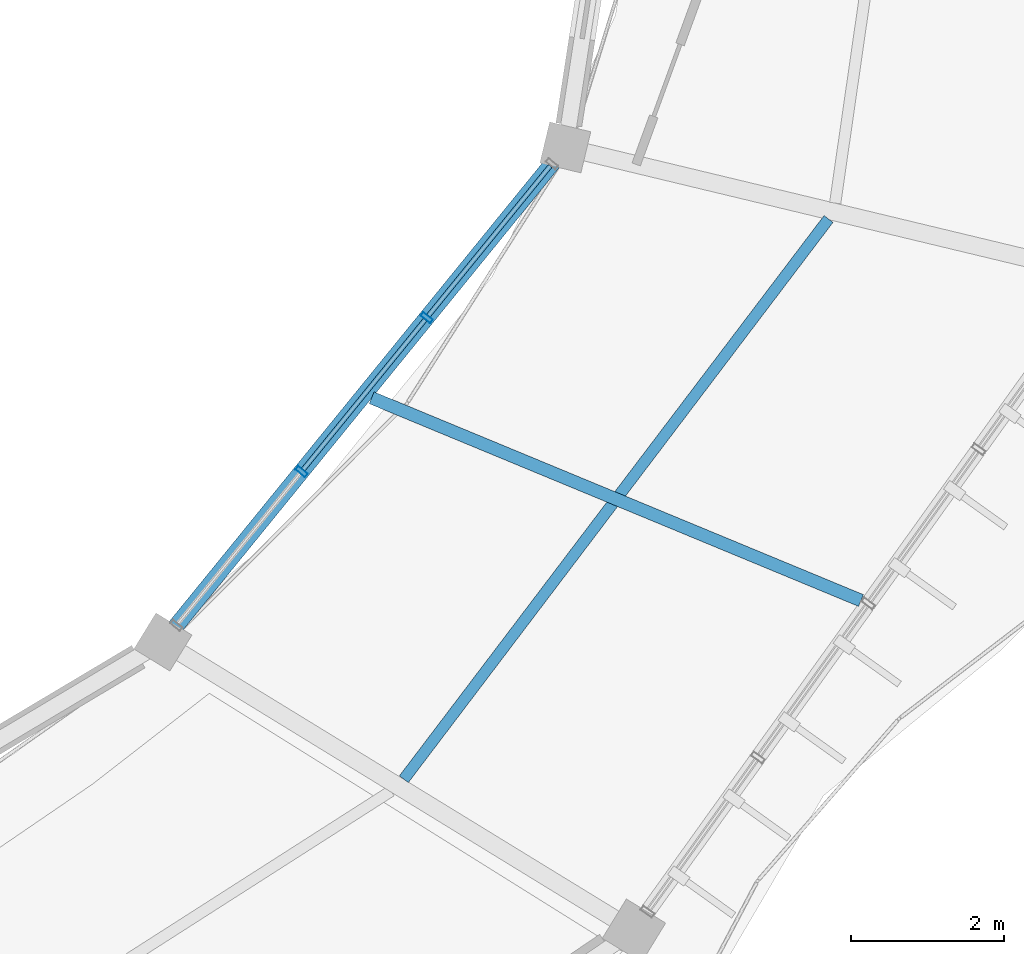
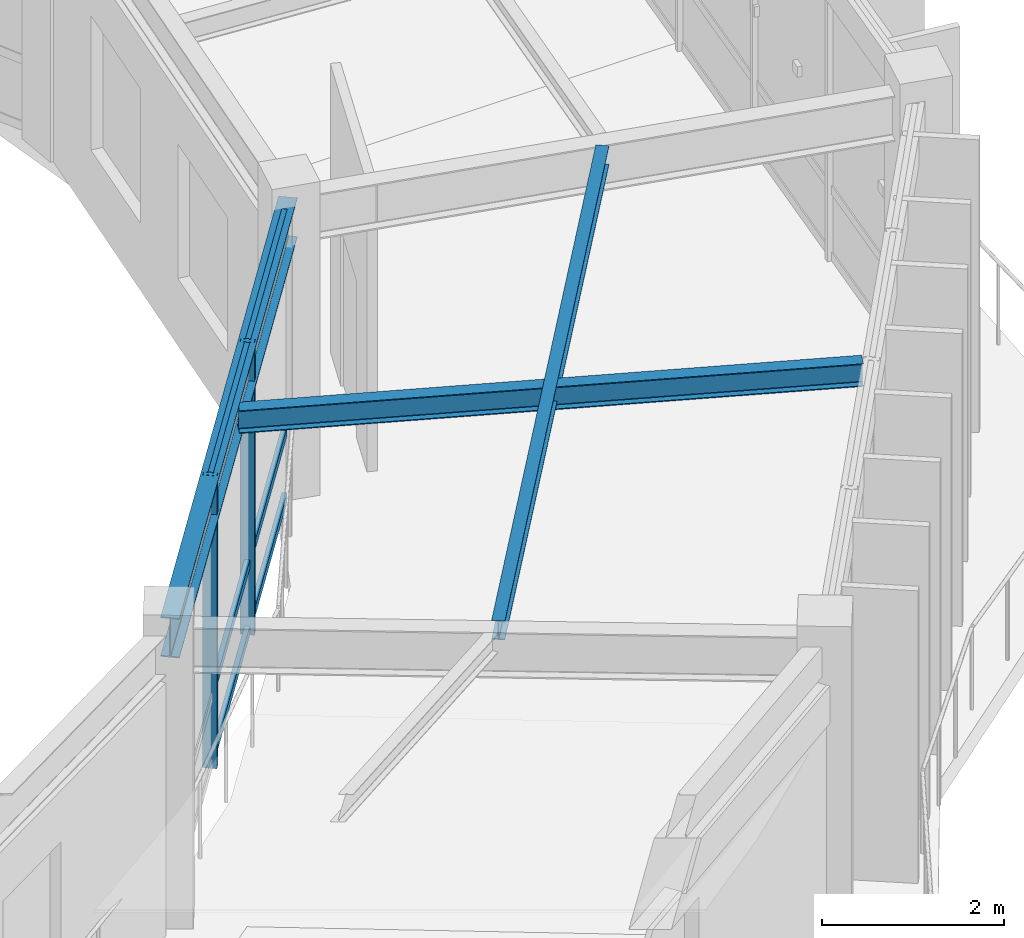
# One storey, part 55 of 83: 8 members, 3 beams, 1 element without a shape of its own.
"""IFC4 building model written with IfcOpenShell, lengths in metres."""

from ifc_helpers import new_model, si_unit, direction, frame, origin, origin_2d, place, context, subcontext, project, spatial, hollow_rectangle, i_section, extrude, material, material_profile, profile_set, type_object, element, aggregate, save


model = new_model("IFC4")

# Units and contexts
model_context = context("Model", 3, precision=1e-05, world=origin(), true_north=direction((0.0, 1.0)))
body_context = subcontext(model_context, "Body", "Model", "MODEL_VIEW")
ifc_project = project(units=[si_unit("LENGTHUNIT", "METRE"), si_unit("AREAUNIT", "SQUARE_METRE"), si_unit("VOLUMEUNIT", "CUBIC_METRE"), si_unit("PLANEANGLEUNIT", "RADIAN"), si_unit("MASSUNIT", "GRAM", prefix="KILO"), si_unit("THERMODYNAMICTEMPERATUREUNIT", "KELVIN"), si_unit("POWERUNIT", "WATT")], contexts=[model_context])

# Site, building, storey
site_placement = place(None, origin())
site = spatial("IfcSite", under=ifc_project, at=site_placement, CompositionType="ELEMENT")
building_placement = place(site_placement, origin())
building = spatial("IfcBuilding", under=site, at=building_placement, Name="Darbajah Civic Hall", CompositionType="ELEMENT")
storey_placement = place(building_placement, frame((0.0, 0.0, 18.0)))
storey = spatial("IfcBuildingStorey", under=building, at=storey_placement, Name="L04", CompositionType="ELEMENT", Elevation=18.0)

# Curtain wall, members
ifc_material_1 = material(Name="Anodised Bronze Aluminium and Low-E Glazing", Category="aluminium")
curtain_wall_type = type_object("IfcCurtainWallType", Name="Unitised Curtain Wall CW-75 7800x3900", PredefinedType="USERDEFINED", material=ifc_material_1)
curtain_wall_placement = place(storey_placement, origin())
curtain_wall = element("IfcCurtainWall", 1, at=curtain_wall_placement, inside=storey, type_object=curtain_wall_type, Name="L04 unitised curtain wall CW-V1I-L04-18", ObjectType="UNITISED CURTAIN WALL", PredefinedType="USERDEFINED")
ifc_material_2 = material(Name="Anodised Bronze Aluminium", Category="aluminium")
ifc_material_profile_1 = material_profile(ifc_material_2, hollow_rectangle(XDim=0.06005859375, YDim=0.159912109375, WallThickness=0.00341796875, at=origin_2d()), Name="ALU MULLION 60x160")
ifc_profile_set_1 = profile_set([ifc_material_profile_1], Name="Anodised Bronze Aluminium")
member_type_1 = type_object("IfcMemberType", Name="ALU MULLION 60x160", PredefinedType="MULLION", material=ifc_profile_set_1)
member_1_placement = place(storey_placement, frame((128.251953125, 80.36865234375, 0.0), z_axis=(0.0, 0.0, 1.0), x_axis=(0.63108205791, 0.775716079622, 0.0)))
member_1 = element("IfcMember", 2, at=member_1_placement, type_object=member_type_1, Name="CW-V1I-L04-18 mullion 2", PredefinedType="MULLION", context=body_context, shape_type="SweptSolid", body=[
    extrude(hollow_rectangle(XDim=0.06005859375, YDim=0.159912109375, WallThickness=0.00341796875, at=origin_2d()), origin(), (0.0, 0.0, 1.0), 3.919921875),
])
member_2_placement = place(storey_placement, frame((129.883544921875, 82.373779296875, 0.0), z_axis=(0.0, 0.0, 1.0), x_axis=(0.63108205791, 0.775716079622, 0.0)))
member_2 = element("IfcMember", 3, at=member_2_placement, type_object=member_type_1, Name="CW-V1I-L04-18 mullion 3", PredefinedType="MULLION", context=body_context, shape_type="SweptSolid", body=[
    extrude(hollow_rectangle(XDim=0.06005859375, YDim=0.159912109375, WallThickness=0.00341796875, at=origin_2d()), origin(), (0.0, 0.0, 1.0), 3.919921875),
])
ifc_material_profile_2 = material_profile(ifc_material_2, hollow_rectangle(XDim=0.06005859375, YDim=0.1201171875, WallThickness=0.003173828125, at=origin_2d()), Name="ALU TRANSOM 60x120")
ifc_profile_set_2 = profile_set([ifc_material_profile_2], Name="Anodised Bronze Aluminium")
member_type_2 = type_object("IfcMemberType", Name="ALU TRANSOM 60x120", PredefinedType="USERDEFINED", material=ifc_profile_set_2)
member_3_placement = place(storey_placement, frame((128.27392578125, 80.395751953125, 0.06005859375), z_axis=(0.631136965004, 0.775671406851, 0.0), x_axis=(-0.775671406851, 0.631136965004, 0.0)))
member_3 = element("IfcMember", 4, at=member_3_placement, type_object=member_type_2, Name="CW-V1I-L04-18 transom 2.1", ObjectType="TRANSOM", PredefinedType="USERDEFINED", context=body_context, shape_type="SweptSolid", body=[
    extrude(hollow_rectangle(XDim=0.06005859375, YDim=0.1201171875, WallThickness=0.003173828125, at=origin_2d()), origin(), (0.0, 0.0, 1.0), 2.51513671875),
])
member_4_placement = place(storey_placement, frame((128.27392578125, 80.395751953125, 0.949951171875), z_axis=(0.631136965004, 0.775671406851, 0.0), x_axis=(-0.775671406851, 0.631136965004, 0.0)))
member_4 = element("IfcMember", 5, at=member_4_placement, type_object=member_type_2, Name="CW-V1I-L04-18 transom 2.2", ObjectType="TRANSOM", PredefinedType="USERDEFINED", context=body_context, shape_type="SweptSolid", body=[
    extrude(hollow_rectangle(XDim=0.06005859375, YDim=0.1201171875, WallThickness=0.003173828125, at=origin_2d()), origin(), (0.0, 0.0, 1.0), 2.51513671875),
])
member_5_placement = place(storey_placement, frame((128.27392578125, 80.395751953125, 3.860107421875), z_axis=(0.631136965004, 0.775671406851, 0.0), x_axis=(-0.775671406851, 0.631136965004, 0.0)))
member_5 = element("IfcMember", 6, at=member_5_placement, type_object=member_type_2, Name="CW-V1I-L04-18 transom 2.3", ObjectType="TRANSOM", PredefinedType="USERDEFINED", context=body_context, shape_type="SweptSolid", body=[
    extrude(hollow_rectangle(XDim=0.06005859375, YDim=0.1201171875, WallThickness=0.003173828125, at=origin_2d()), origin(), (0.0, 0.0, 1.0), 2.51513671875),
])
member_6_placement = place(storey_placement, frame((129.905517578125, 82.401123046875, 0.06005859375), z_axis=(0.63108944722, 0.775710068007, 0.0), x_axis=(-0.775710068007, 0.63108944722, 0.0)))
member_6 = element("IfcMember", 7, at=member_6_placement, type_object=member_type_2, Name="CW-V1I-L04-18 transom 3.1", ObjectType="TRANSOM", PredefinedType="USERDEFINED", context=body_context, shape_type="SweptSolid", body=[
    extrude(hollow_rectangle(XDim=0.06005859375, YDim=0.1201171875, WallThickness=0.003173828125, at=origin_2d()), origin(), (0.0, 0.0, 1.0), 2.515380859375),
])
member_7_placement = place(storey_placement, frame((129.905517578125, 82.401123046875, 0.949951171875), z_axis=(0.63108944722, 0.775710068007, 0.0), x_axis=(-0.775710068007, 0.63108944722, 0.0)))
member_7 = element("IfcMember", 8, at=member_7_placement, type_object=member_type_2, Name="CW-V1I-L04-18 transom 3.2", ObjectType="TRANSOM", PredefinedType="USERDEFINED", context=body_context, shape_type="SweptSolid", body=[
    extrude(hollow_rectangle(XDim=0.06005859375, YDim=0.1201171875, WallThickness=0.003173828125, at=origin_2d()), origin(), (0.0, 0.0, 1.0), 2.515380859375),
])
member_8_placement = place(storey_placement, frame((129.905517578125, 82.401123046875, 3.860107421875), z_axis=(0.63108944722, 0.775710068007, 0.0), x_axis=(-0.775710068007, 0.63108944722, 0.0)))
member_8 = element("IfcMember", 9, at=member_8_placement, type_object=member_type_2, Name="CW-V1I-L04-18 transom 3.3", ObjectType="TRANSOM", PredefinedType="USERDEFINED", context=body_context, shape_type="SweptSolid", body=[
    extrude(hollow_rectangle(XDim=0.06005859375, YDim=0.1201171875, WallThickness=0.003173828125, at=origin_2d()), origin(), (0.0, 0.0, 1.0), 2.515380859375),
])
aggregate(curtain_wall, [member_1, member_2, member_3, member_4, member_5, member_6, member_7, member_8])

# Beams
ifc_material_3 = material(Name="Steel S355JR", Category="steel")
ifc_material_profile_3 = material_profile(ifc_material_3, i_section(OverallWidth=0.146484375, OverallDepth=0.256103515625, WebThickness=0.00634765625, FlangeThickness=0.010986328125, FilletRadius=0.007568359375, at=origin_2d()), Name="UB 254x146x37")
ifc_profile_set_3 = profile_set([ifc_material_profile_3], Name="Steel S355JR")
beam_type_1 = type_object("IfcBeamType", Name="UB 254x146x37", PredefinedType="JOIST", material=ifc_profile_set_3)
beam_1_placement = place(storey_placement, frame((129.585205078125, 76.359619140625, 3.7919921875), z_axis=(0.604101851083, 0.796907117246, 0.0), x_axis=(-0.796907117246, 0.604101851083, 0.0)))
element("IfcBeam", 10, at=beam_1_placement, inside=storey, type_object=beam_type_1, Name="L04 beam SJ-254", PredefinedType="JOIST", context=body_context, shape_type="SweptSolid", body=[
    extrude(i_section(OverallWidth=0.146484375, OverallDepth=0.256103515625, WebThickness=0.00634765625, FlangeThickness=0.010986328125, FilletRadius=0.007568359375, at=origin_2d()), origin(), (0.0, 0.0, 1.0), 9.16259765625),
])
ifc_material_profile_4 = material_profile(ifc_material_3, i_section(OverallWidth=0.165771484375, OverallDepth=0.306640625, WebThickness=0.006591796875, FlangeThickness=0.01171875, FilletRadius=0.0087890625, at=origin_2d()), Name="UB 305x165x46")
ifc_profile_set_4 = profile_set([ifc_material_profile_4], Name="Steel S355JR")
beam_type_2 = type_object("IfcBeamType", Name="UB 305x165x46", PredefinedType="JOIST", material=ifc_profile_set_4)
beam_2_placement = place(storey_placement, frame((129.16552734375, 81.330810546875, 3.7666015625), z_axis=(0.923878471007, -0.382685995053, 0.0), x_axis=(0.382685995053, 0.923878471007, 0.0)))
element("IfcBeam", 11, at=beam_2_placement, inside=storey, type_object=beam_type_2, Name="L04 beam SJ-305", PredefinedType="JOIST", context=body_context, shape_type="SweptSolid", body=[
    extrude(i_section(OverallWidth=0.165771484375, OverallDepth=0.306640625, WebThickness=0.006591796875, FlangeThickness=0.01171875, FilletRadius=0.0087890625, at=origin_2d()), origin(), (0.0, 0.0, 1.0), 6.9033203125),
])
ifc_material_profile_5 = material_profile(ifc_material_3, i_section(OverallWidth=0.209228515625, OverallDepth=0.533203125, WebThickness=0.010009765625, FlangeThickness=0.015625, FilletRadius=0.0126953125, at=origin_2d()), Name="UB 533x210x92")
ifc_profile_set_5 = profile_set([ifc_material_profile_5], Name="Steel S355JR")
beam_type_3 = type_object("IfcBeamType", Name="UB 533x210x92", PredefinedType="BEAM", material=ifc_profile_set_5)
beam_3_placement = place(storey_placement, frame((126.49609375, 78.21044921875, 3.653564453125), z_axis=(0.631114659221, 0.775689555761, 0.0), x_axis=(-0.775689555761, 0.631114659221, 0.0)))
element("IfcBeam", 12, at=beam_3_placement, inside=storey, type_object=beam_type_3, Name="L04 beam SB-533", PredefinedType="BEAM", context=body_context, shape_type="SweptSolid", body=[
    extrude(i_section(OverallWidth=0.209228515625, OverallDepth=0.533203125, WebThickness=0.010009765625, FlangeThickness=0.015625, FilletRadius=0.0126953125, at=origin_2d()), origin(), (0.0, 0.0, 1.0), 8.149658203125),
])

save(model, "model.ifc")
